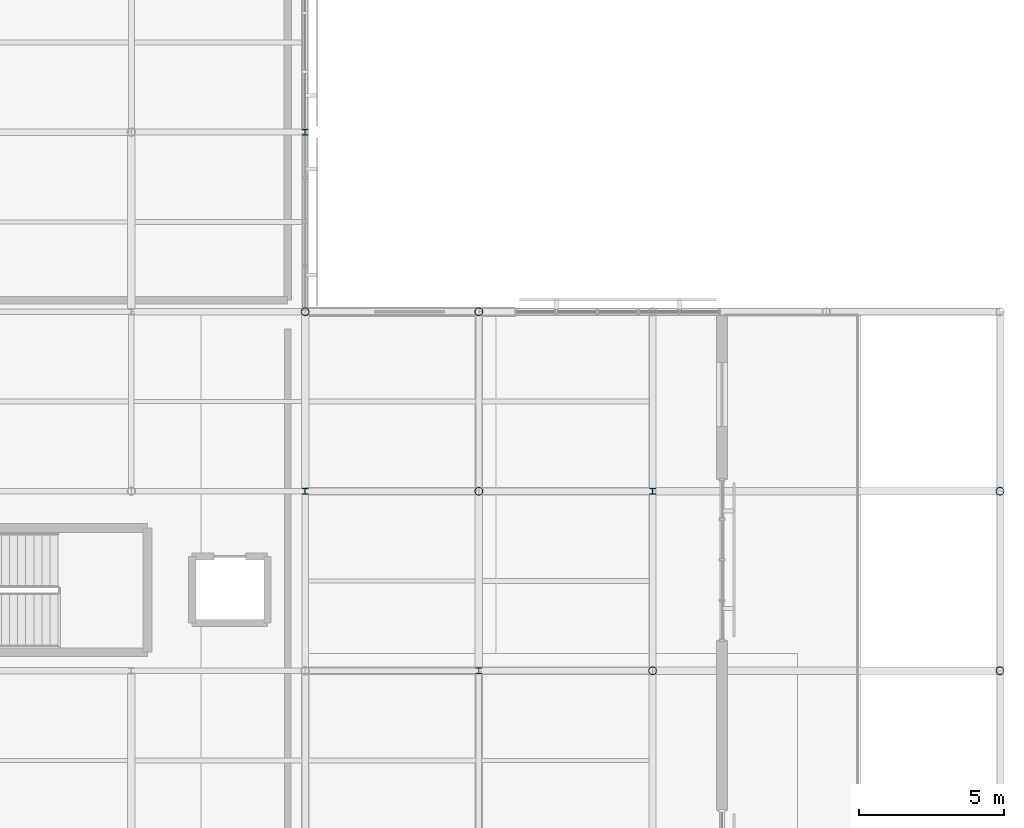
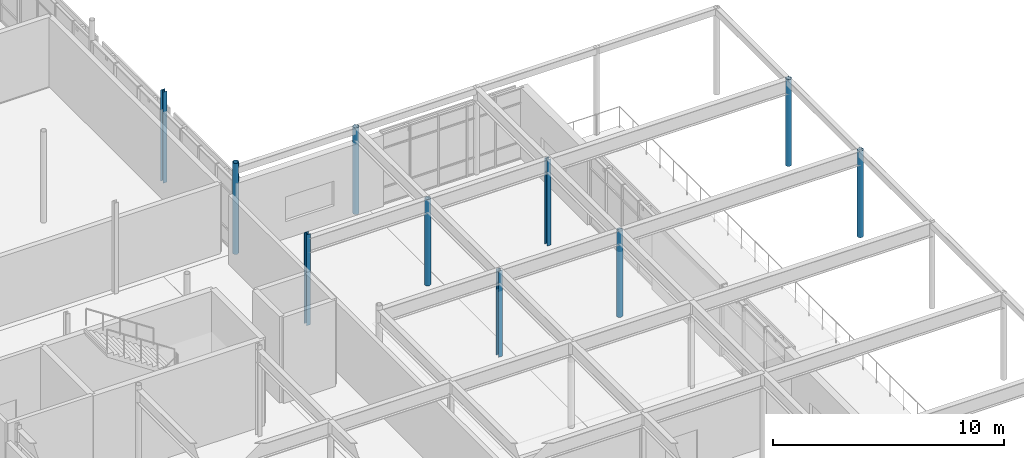
# One storey, part 11 of 48: 10 columns.
"""IFC4 building model written with IfcOpenShell, lengths in metres."""

from ifc_helpers import new_model, si_unit, direction, frame, origin, origin_2d, place, context, subcontext, project, spatial, hollow_circle, i_section, extrude, material, material_profile, profile_set, type_object, element, save


model = new_model("IFC4")

# Units and contexts
model_context = context("Model", 3, precision=1e-05, world=origin(), true_north=direction((0.0, 1.0)))
body_context = subcontext(model_context, "Body", "Model", "MODEL_VIEW")
ifc_project = project(units=[si_unit("LENGTHUNIT", "METRE"), si_unit("AREAUNIT", "SQUARE_METRE"), si_unit("VOLUMEUNIT", "CUBIC_METRE"), si_unit("PLANEANGLEUNIT", "RADIAN"), si_unit("MASSUNIT", "GRAM", prefix="KILO")], contexts=[model_context])

# Site, building, storey
site_placement = place(None, origin())
site = spatial("IfcSite", under=ifc_project, at=site_placement, CompositionType="ELEMENT")
building_placement = place(site_placement, origin())
building = spatial("IfcBuilding", under=site, at=building_placement, Name="Mirzam Square Science Centre", CompositionType="ELEMENT")
storey_placement = place(building_placement, frame((0.0, 0.0, 20.39990234375)))
storey = spatial("IfcBuildingStorey", under=building, at=storey_placement, Name="L04", CompositionType="ELEMENT", Elevation=20.39990234375)

# Columns
ifc_material = material(Name="Steel S355", Category="steel")
ifc_material_profile_1 = material_profile(ifc_material, hollow_circle(Radius=0.136474609375, WallThickness=0.010009765625, at=origin_2d()), Name="273.0x10.0CHS")
ifc_profile_set_1 = profile_set([ifc_material_profile_1], Name="Steel S355")
column_type_1 = type_object("IfcColumnType", Name="COL-CHS273", PredefinedType="COLUMN", material=ifc_profile_set_1)
column_1_placement = place(storey_placement, frame((138.0, 86.800048828125, 0.0), z_axis=(0.0, 0.0, 1.0), x_axis=(1.0, 0.0, 0.0)))
element("IfcColumn", 1, at=column_1_placement, inside=storey, type_object=column_type_1, Name="L04 column G24-15", PredefinedType="COLUMN", context=body_context, shape_type="SweptSolid", body=[
    extrude(hollow_circle(Radius=0.136474609375, WallThickness=0.010009765625, at=origin_2d()), origin(), (0.0, 0.0, 1.0), 4.800048828125),
])
column_2_placement = place(storey_placement, frame((144.0, 80.60009765625, 0.0), z_axis=(0.0, 0.0, 1.0), x_axis=(1.0, 0.0, 0.0)))
element("IfcColumn", 2, at=column_2_placement, inside=storey, type_object=column_type_1, Name="L04 column G25-14", PredefinedType="COLUMN", context=body_context, shape_type="SweptSolid", body=[
    extrude(hollow_circle(Radius=0.136474609375, WallThickness=0.010009765625, at=origin_2d()), origin(), (0.0, 0.0, 1.0), 4.550048828125),
])
column_3_placement = place(storey_placement, frame((144.0, 86.800048828125, 0.0), z_axis=(0.0, 0.0, 1.0), x_axis=(1.0, 0.0, 0.0)))
element("IfcColumn", 3, at=column_3_placement, inside=storey, type_object=column_type_1, Name="L04 column G25-15", PredefinedType="COLUMN", context=body_context, shape_type="SweptSolid", body=[
    extrude(hollow_circle(Radius=0.136474609375, WallThickness=0.010009765625, at=origin_2d()), origin(), (0.0, 0.0, 1.0), 4.570068359375),
])
column_4_placement = place(storey_placement, frame((150.0, 74.39990234375, 0.0), z_axis=(0.0, 0.0, 1.0), x_axis=(1.0, 0.0, 0.0)))
element("IfcColumn", 4, at=column_4_placement, inside=storey, type_object=column_type_1, Name="L04 column G26-13", PredefinedType="COLUMN", context=body_context, shape_type="SweptSolid", body=[
    extrude(hollow_circle(Radius=0.136474609375, WallThickness=0.010009765625, at=origin_2d()), origin(), (0.0, 0.0, 1.0), 4.550048828125),
])
for number, where, z_axis, x_axis, name in (
    (5, (162.0, 74.39990234375, 0.0), (0.0, 0.0, 1.0), (1.0, 0.0, 0.0), "L04 column G28-13"),
    (6, (162.0, 80.60009765625, 0.0), (0.0, 0.0, 1.0), (1.0, 0.0, 0.0), "L04 column G28-14"),
):
    element("IfcColumn", number, at=place(storey_placement, frame(where, z_axis=z_axis, x_axis=x_axis)), inside=storey, type_object=column_type_1, Name=name, PredefinedType="COLUMN", context=body_context, shape_type="SweptSolid", body=[
        extrude(hollow_circle(Radius=0.136474609375, WallThickness=0.010009765625, at=origin_2d()), origin(), (0.0, 0.0, 1.0), 4.570068359375),
    ])
ifc_material_profile_2 = material_profile(ifc_material, i_section(OverallWidth=0.205810546875, OverallDepth=0.209716796875, WebThickness=0.009521484375, FlangeThickness=0.01416015625, FilletRadius=0.01025390625, at=origin_2d()), Name="203x203x60UC")
ifc_profile_set_2 = profile_set([ifc_material_profile_2], Name="Steel S355")
column_type_2 = type_object("IfcColumnType", Name="COL-UC203A", PredefinedType="COLUMN", material=ifc_profile_set_2)
for number, where, z_axis, x_axis, name in (
    (7, (138.0, 80.60009765625, 0.0), (0.0, 0.0, 1.0), (1.0, 0.0, 0.0), "L04 column G24-14"),
    (8, (138.0, 93.0, 0.0), (0.0, 0.0, 1.0), (1.0, 0.0, 0.0), "L04 column G24-16"),
):
    element("IfcColumn", number, at=place(storey_placement, frame(where, z_axis=z_axis, x_axis=x_axis)), inside=storey, type_object=column_type_2, Name=name, PredefinedType="COLUMN", context=body_context, shape_type="SweptSolid", body=[
        extrude(i_section(OverallWidth=0.205810546875, OverallDepth=0.209716796875, WebThickness=0.009521484375, FlangeThickness=0.01416015625, FilletRadius=0.01025390625, at=origin_2d()), origin(), (0.0, 0.0, 1.0), 4.800048828125),
    ])
for number, where, z_axis, x_axis, name in (
    (9, (144.0, 74.39990234375, 0.0), (0.0, 0.0, 1.0), (1.0, 0.0, 0.0), "L04 column G25-13"),
    (10, (150.0, 80.60009765625, 0.0), (0.0, 0.0, 1.0), (1.0, 0.0, 0.0), "L04 column G26-14"),
):
    element("IfcColumn", number, at=place(storey_placement, frame(where, z_axis=z_axis, x_axis=x_axis)), inside=storey, type_object=column_type_2, Name=name, PredefinedType="COLUMN", context=body_context, shape_type="SweptSolid", body=[
        extrude(i_section(OverallWidth=0.205810546875, OverallDepth=0.209716796875, WebThickness=0.009521484375, FlangeThickness=0.01416015625, FilletRadius=0.01025390625, at=origin_2d()), origin(), (0.0, 0.0, 1.0), 4.550048828125),
    ])

save(model, "model.ifc")
